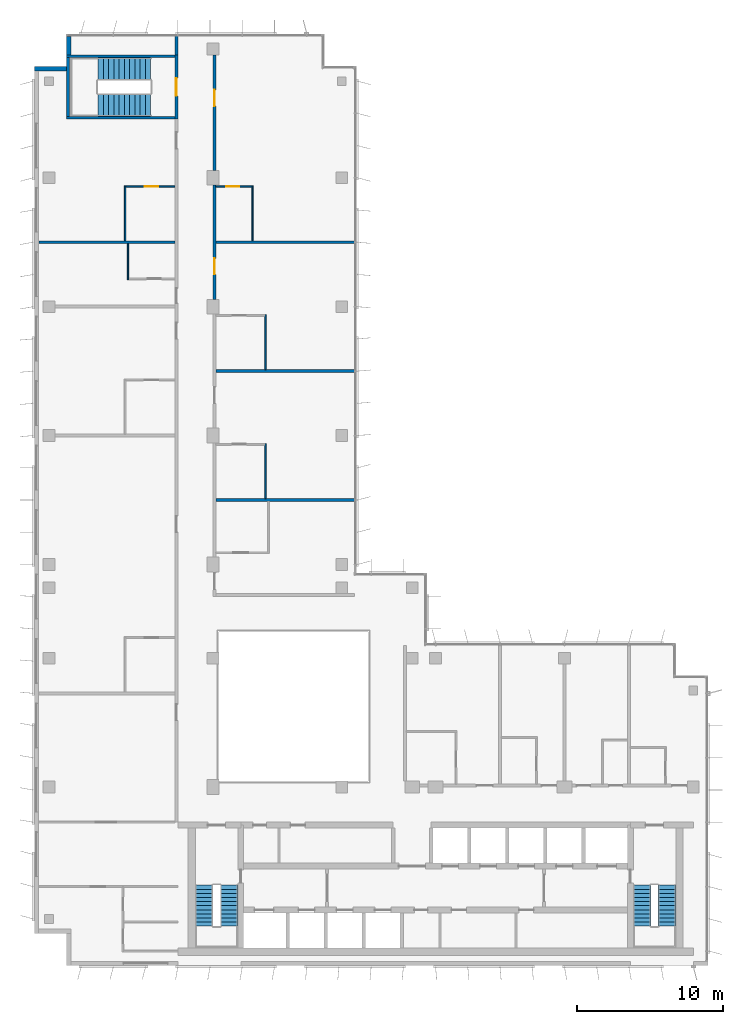
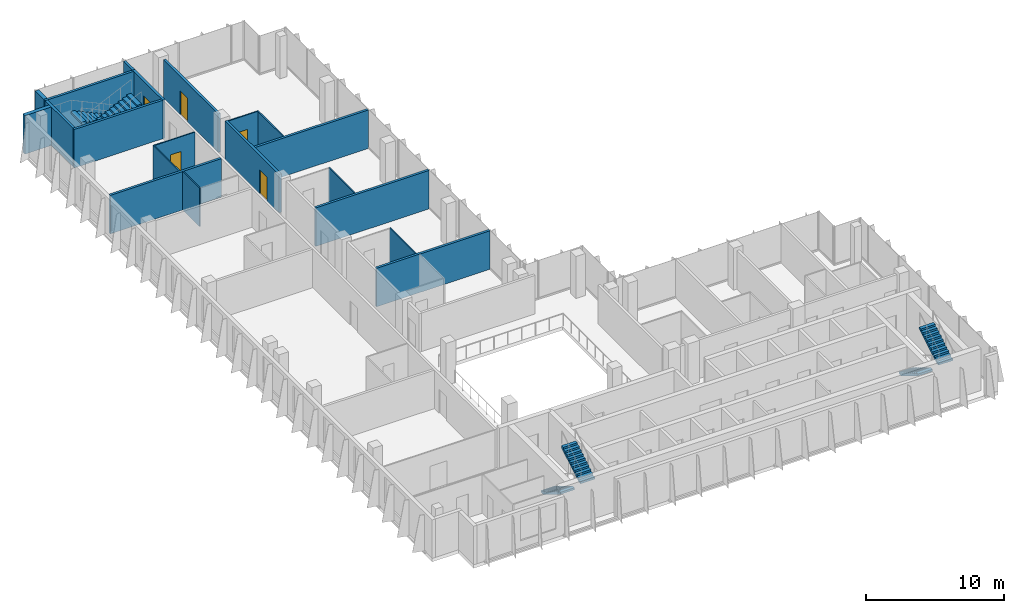
# One storey, part 12 of 15: 20 walls, 6 stair flights, 5 doors, 5 openings, 3 elements without a shape of their own.
"""IFC4 building model written with IfcOpenShell, lengths in metres."""

from ifc_helpers import new_model, si_unit, direction, frame, frame_2d, origin, place, context, subcontext, project, spatial, polyline, rectangle, outline, extrude, material, layer, layer_set, type_object, element, fill, aggregate, save


model = new_model("IFC4")

# Units and contexts
model_context = context("Model", 3, precision=1e-05, world=origin(), true_north=direction((0.0, 1.0)))
body_context = subcontext(model_context, "Body", "Model", "MODEL_VIEW")
ifc_project = project(units=[si_unit("LENGTHUNIT", "METRE"), si_unit("AREAUNIT", "SQUARE_METRE"), si_unit("VOLUMEUNIT", "CUBIC_METRE"), si_unit("PLANEANGLEUNIT", "RADIAN"), si_unit("MASSUNIT", "GRAM", prefix="KILO")], contexts=[model_context])

# Site, building, storey
site_placement = place(None, origin())
site = spatial("IfcSite", under=ifc_project, at=site_placement, CompositionType="ELEMENT")
building_placement = place(site_placement, origin())
building = spatial("IfcBuilding", under=site, at=building_placement, Name="Kemantara Hotel Tower", CompositionType="ELEMENT")
storey_placement = place(building_placement, frame((0.0, 0.0, 290.699951171875)))
storey = spatial("IfcBuildingStorey", under=building, at=storey_placement, Name="L73", CompositionType="ELEMENT", Elevation=290.699951171875)

# Walls
ifc_material_1 = material(Name="Bronze anodised aluminium cladding on insulated steel stud wall", Category="steel")
ifc_layer_1 = layer(ifc_material_1, 0.300048828125)
ifc_layer_set_1 = layer_set([ifc_layer_1], Name="Bronze anodised aluminium cladding on insulated steel stud wall")
wall_type_1 = type_object("IfcWallType", Name="BRONZE METAL-CLAD EXTERNAL WALL 300", PredefinedType="STANDARD", material=ifc_layer_set_1)
wall_1_placement = place(storey_placement, frame((2.35009765625, 63.449951171875, 0.0), z_axis=(0.0, 0.0, 1.0), x_axis=(0.0, -1.0, 0.0)))
element("IfcWall", 1, at=wall_1_placement, inside=storey, type_object=wall_type_1, Name="EXTERNAL WALL L73 T4-R03", PredefinedType="STANDARD", context=body_context, shape_type="SweptSolid", body=[
    extrude(rectangle(XDim=1.25, YDim=0.300048828125, at=frame_2d((0.625, 0.0))), origin(), (0.0, 0.0, 1.0), 3.400146484375),
])
wall_2_placement = place(storey_placement, frame((2.199951171875, 61.25, 0.0), z_axis=(0.0, 0.0, 1.0), x_axis=(-1.0, 0.0, 0.0)))
element("IfcWall", 2, at=wall_2_placement, inside=storey, type_object=wall_type_1, Name="EXTERNAL WALL L73 T4-R04", PredefinedType="STANDARD", context=body_context, shape_type="SweptSolid", body=[
    extrude(rectangle(XDim=2.199951171875, YDim=0.300048828125, at=frame_2d((1.10009765625, 0.0))), origin(), (0.0, 0.0, 1.0), 3.400146484375),
])
ifc_material_2 = material(Name="Gypsum board partition, steel studs and mineral wool, 200 mm", Category="steel")
ifc_layer_2 = layer(ifc_material_2, 0.199951171875)
ifc_layer_set_2 = layer_set([ifc_layer_2], Name="Gypsum board partition, steel studs and mineral wool, 200 mm")
wall_type_2 = type_object("IfcWallType", Name="CORRIDOR WALL 200", PredefinedType="PARTITIONING", material=ifc_layer_set_2)
wall_3_placement = place(storey_placement, frame((9.699951171875, 62.199951171875, 0.0), z_axis=(0.0, 0.0, 1.0), x_axis=(0.0, 1.0, 0.0)))
element("IfcWall", 3, at=wall_3_placement, inside=storey, type_object=wall_type_2, Name="CORRIDOR WALL 200 009", PredefinedType="PARTITIONING", context=body_context, shape_type="SweptSolid", body=[
    extrude(rectangle(XDim=1.280029296875, YDim=0.199951171875, at=frame_2d((0.64013671875, 0.0))), origin(), (0.0, 0.0, 1.0), 3.400146484375),
])

# Wall, opening, door
wall_4_placement = place(storey_placement, frame((12.300048828125, 53.2998046875, 0.0), z_axis=(0.0, 0.0, 1.0), x_axis=(0.0, -1.0, 0.0)))
wall_4 = element("IfcWall", 4, at=wall_4_placement, inside=storey, type_object=wall_type_2, Name="CORRIDOR WALL 200 018", PredefinedType="PARTITIONING", context=body_context, shape_type="SweptSolid", body=[
    extrude(rectangle(XDim=7.7998046875, YDim=0.199951171875, at=frame_2d((3.89990234375, 0.0))), origin(), (0.0, 0.0, 1.0), 3.400146484375),
])
opening_1_placement = place(wall_4_placement, frame((5.0, 0.0, 0.0)))
opening_1 = element("IfcOpeningElement", 5, at=opening_1_placement, cuts=wall_4, Name="Opening F36-026", PredefinedType="OPENING", context=body_context, shape_type="SweptSolid", body=[
    extrude(rectangle(XDim=1.10009765625, YDim=2.10009765625, at=frame_2d((0.550048828125, 1.050048828125))), frame((0.0, 0.10986328125, 0.0), z_axis=(0.0, -1.0, 0.0), x_axis=(1.0, 0.0, 0.0)), (0.0, 0.0, 1.0), 0.219970703125),
])
ifc_material_3 = material(Name="Hardwood veneer door leaf with steel frame", Category="steel")
door_type_1 = type_object("IfcDoorType", Name="SUITE ENTRANCE DOOR 1100 X 2100 FD30S", OperationType="NOTDEFINED", PredefinedType="DOOR", material=ifc_material_3)
door_1_placement = place(opening_1_placement, origin())
door_1 = element("IfcDoor", 6, at=door_1_placement, inside=storey, type_object=door_type_1, Name="SUITE ENTRANCE DOOR F36-026", OperationType="SINGLE_SWING_LEFT", OverallHeight=2.10009765625, OverallWidth=1.10009765625, PredefinedType="DOOR", context=body_context, shape_type="SweptSolid", body=[
    extrude(rectangle(XDim=1.10009765625, YDim=2.10009765625, at=frame_2d((0.550048828125, 1.050048828125))), frame((0.0, 0.02490234375, 0.0), z_axis=(0.0, -1.0, 0.0), x_axis=(1.0, 0.0, 0.0)), (0.0, 0.0, 1.0), 0.050048828125),
])
fill(opening_1, door_1)

wall_5_placement = place(storey_placement, frame((12.300048828125, 62.199951171875, 0.0), z_axis=(0.0, 0.0, 1.0), x_axis=(0.0, -1.0, 0.0)))
wall_5 = element("IfcWall", 7, at=wall_5_placement, inside=storey, type_object=wall_type_2, Name="CORRIDOR WALL 200 019", PredefinedType="PARTITIONING", context=body_context, shape_type="SweptSolid", body=[
    extrude(rectangle(XDim=7.89990234375, YDim=0.199951171875, at=frame_2d((3.949951171875, 0.0))), origin(), (0.0, 0.0, 1.0), 3.400146484375),
])
opening_2_placement = place(wall_5_placement, frame((2.39990234375, 0.0, 0.0)))
opening_2 = element("IfcOpeningElement", 8, at=opening_2_placement, cuts=wall_5, Name="Opening F36-028", PredefinedType="OPENING", context=body_context, shape_type="SweptSolid", body=[
    extrude(rectangle(XDim=1.10009765625, YDim=2.10009765625, at=frame_2d((0.550048828125, 1.050048828125))), frame((0.0, 0.10986328125, 0.0), z_axis=(0.0, -1.0, 0.0), x_axis=(1.0, 0.0, 0.0)), (0.0, 0.0, 1.0), 0.219970703125),
])
door_2_placement = place(opening_2_placement, origin())
door_2 = element("IfcDoor", 9, at=door_2_placement, inside=storey, type_object=door_type_1, Name="SUITE ENTRANCE DOOR F36-028", OperationType="SINGLE_SWING_LEFT", OverallHeight=2.10009765625, OverallWidth=1.10009765625, PredefinedType="DOOR", context=body_context, shape_type="SweptSolid", body=[
    extrude(rectangle(XDim=1.10009765625, YDim=2.10009765625, at=frame_2d((0.550048828125, 1.050048828125))), frame((0.0, 0.02490234375, 0.0), z_axis=(0.0, -1.0, 0.0), x_axis=(1.0, 0.0, 0.0)), (0.0, 0.0, 1.0), 0.050048828125),
])
fill(opening_2, door_2)

ifc_material_4 = material(Name="Concrete fc 40 MPa", Category="concrete")
ifc_layer_3 = layer(ifc_material_4, 0.199951171875)
ifc_layer_set_3 = layer_set([ifc_layer_3], Name="Concrete fc 40 MPa")
wall_type_3 = type_object("IfcWallType", Name="Concrete stair wall 200 mm", PredefinedType="SHEAR", material=ifc_layer_set_3)
wall_6_placement = place(storey_placement, frame((9.699951171875, 57.800048828125, 0.0), z_axis=(0.0, 0.0, 1.0), x_axis=(0.0, 1.0, 0.0)))
wall_6 = element("IfcWall", 10, at=wall_6_placement, inside=storey, type_object=wall_type_3, Name="Stair ST4 enclosure wall with door", PredefinedType="SHEAR", context=body_context, shape_type="SweptSolid", body=[
    extrude(rectangle(XDim=4.39990234375, YDim=0.199951171875, at=frame_2d((2.199951171875, 0.0))), origin(), (0.0, 0.0, 1.0), 3.400146484375),
])
opening_3_placement = place(wall_6_placement, frame((1.60009765625, 0.0, 0.0)))
opening_3 = element("IfcOpeningElement", 11, at=opening_3_placement, cuts=wall_6, Name="Opening ST4-C", PredefinedType="OPENING", context=body_context, shape_type="SweptSolid", body=[
    extrude(rectangle(XDim=1.199951171875, YDim=2.10009765625, at=frame_2d((0.60009765625, 1.050048828125))), frame((0.0, 0.10986328125, 0.0), z_axis=(0.0, -1.0, 0.0), x_axis=(1.0, 0.0, 0.0)), (0.0, 0.0, 1.0), 0.219970703125),
])
ifc_material_5 = material(Name="Steel fire door", Category="steel")
door_type_2 = type_object("IfcDoorType", Name="Fire door FD90 1200 x 2100", OperationType="NOTDEFINED", PredefinedType="DOOR", material=ifc_material_5)
door_3_placement = place(opening_3_placement, origin())
door_3 = element("IfcDoor", 12, at=door_3_placement, inside=storey, type_object=door_type_2, Name="Stair ST4 door", OperationType="SINGLE_SWING_RIGHT", OverallHeight=2.10009765625, OverallWidth=1.199951171875, PredefinedType="DOOR", context=body_context, shape_type="SweptSolid", body=[
    extrude(rectangle(XDim=1.199951171875, YDim=2.10009765625, at=frame_2d((0.60009765625, 1.050048828125))), frame((0.0, 0.02490234375, 0.0), z_axis=(0.0, -1.0, 0.0), x_axis=(1.0, 0.0, 0.0)), (0.0, 0.0, 1.0), 0.050048828125),
])
fill(opening_3, door_3)

# Walls
for number, where, z_axis, x_axis, name in (
    (13, (2.199951171875, 62.10009765625, 0.0), (0.0, 0.0, 1.0), (1.0, 0.0, 0.0), "Stair ST4 enclosure wall N"),
    (14, (2.199951171875, 57.89990234375, 0.0), (0.0, 0.0, 1.0), (1.0, 0.0, 0.0), "Stair ST4 enclosure wall S"),
):
    element("IfcWall", number, at=place(storey_placement, frame(where, z_axis=z_axis, x_axis=x_axis)), inside=storey, type_object=wall_type_3, Name=name, PredefinedType="SHEAR", context=body_context, shape_type="SweptSolid", body=[
        extrude(rectangle(XDim=7.400146484375, YDim=0.199951171875, at=frame_2d((3.7001953125, 0.0))), origin(), (0.0, 0.0, 1.0), 3.400146484375),
    ])
wall_7_placement = place(storey_placement, frame((2.300048828125, 58.0, 0.0), z_axis=(0.0, 0.0, 1.0), x_axis=(0.0, 1.0, 0.0)))
element("IfcWall", 15, at=wall_7_placement, inside=storey, type_object=wall_type_3, Name="Stair ST4 enclosure wall W", PredefinedType="SHEAR", context=body_context, shape_type="SweptSolid", body=[
    extrude(rectangle(XDim=4.0, YDim=0.199951171875, at=frame_2d((2.0, 0.0))), origin(), (0.0, 0.0, 1.0), 3.400146484375),
])
ifc_layer_4 = layer(ifc_material_2, 0.199951171875)
ifc_layer_set_4 = layer_set([ifc_layer_4], Name="Gypsum board partition, steel studs and mineral wool, 200 mm")
wall_type_4 = type_object("IfcWallType", Name="GUEST ROOM PARTY WALL 200", PredefinedType="PARTITIONING", material=ifc_layer_set_4)
wall_8_placement = place(storey_placement, frame((0.31005859375, 49.39990234375, 0.0), z_axis=(0.0, 0.0, 1.0), x_axis=(1.0, 0.0, 0.0)))
element("IfcWall", 16, at=wall_8_placement, inside=storey, type_object=wall_type_4, Name="GUEST ROOM PARTY WALL 200 013", PredefinedType="PARTITIONING", context=body_context, shape_type="SweptSolid", body=[
    extrude(rectangle(XDim=9.2900390625, YDim=0.199951171875, at=frame_2d((4.64501953125, 0.0))), origin(), (0.0, 0.0, 1.0), 3.400146484375),
])
for number, where, z_axis, x_axis, name in (
    (17, (12.39990234375, 49.39990234375, 0.0), (0.0, 0.0, 1.0), (1.0, 0.0, 0.0), "GUEST ROOM PARTY WALL 200 014"),
    (18, (12.39990234375, 31.800048828125, 0.0), (0.0, 0.0, 1.0), (1.0, 0.0, 0.0), "GUEST ROOM PARTY WALL 200 021"),
    (19, (12.39990234375, 40.60009765625, 0.0), (0.0, 0.0, 1.0), (1.0, 0.0, 0.0), "GUEST ROOM PARTY WALL 200 022"),
):
    element("IfcWall", number, at=place(storey_placement, frame(where, z_axis=z_axis, x_axis=x_axis)), inside=storey, type_object=wall_type_4, Name=name, PredefinedType="PARTITIONING", context=body_context, shape_type="SweptSolid", body=[
        extrude(rectangle(XDim=9.47021484375, YDim=0.199951171875, at=frame_2d((4.735107421875, 0.0))), origin(), (0.0, 0.0, 1.0), 3.400146484375),
    ])
ifc_material_6 = material(Name="Gypsum board partition on steel studs, 100 mm", Category="steel")
ifc_layer_5 = layer(ifc_material_6, 0.10009765625)
ifc_layer_set_5 = layer_set([ifc_layer_5], Name="Gypsum board partition on steel studs, 100 mm")
wall_type_5 = type_object("IfcWallType", Name="ROOM PARTITION 100", PredefinedType="PARTITIONING", material=ifc_layer_set_5)
wall_9_placement = place(storey_placement, frame((6.199951171875, 49.5, 0.0), z_axis=(0.0, 0.0, 1.0), x_axis=(0.0, 1.0, 0.0)))
element("IfcWall", 20, at=wall_9_placement, inside=storey, type_object=wall_type_5, Name="ROOM PARTITION 100 038", PredefinedType="PARTITIONING", context=body_context, shape_type="SweptSolid", body=[
    extrude(rectangle(XDim=3.75, YDim=0.10009765625, at=frame_2d((1.875, 0.0))), origin(), (0.0, 0.0, 1.0), 3.400146484375),
])
wall_10_placement = place(storey_placement, frame((6.39990234375, 46.85009765625, 0.0), z_axis=(0.0, 0.0, 1.0), x_axis=(0.0, 1.0, 0.0)))
element("IfcWall", 21, at=wall_10_placement, inside=storey, type_object=wall_type_5, Name="ROOM PARTITION 100 041", PredefinedType="PARTITIONING", context=body_context, shape_type="SweptSolid", body=[
    extrude(rectangle(XDim=2.449951171875, YDim=0.10009765625, at=frame_2d((1.22509765625, 0.0))), origin(), (0.0, 0.0, 1.0), 3.400146484375),
])

# Wall, opening, door
wall_11_placement = place(storey_placement, frame((9.60009765625, 53.199951171875, 0.0), z_axis=(0.0, 0.0, 1.0), x_axis=(-1.0, 0.0, 0.0)))
wall_11 = element("IfcWall", 22, at=wall_11_placement, inside=storey, type_object=wall_type_5, Name="ROOM PARTITION 100 043", PredefinedType="PARTITIONING", context=body_context, shape_type="SweptSolid", body=[
    extrude(rectangle(XDim=3.35009765625, YDim=0.10009765625, at=frame_2d((1.675048828125, 0.0))), origin(), (0.0, 0.0, 1.0), 3.400146484375),
])
opening_4_placement = place(wall_11_placement, frame((1.14990234375, 0.0, 0.0)))
opening_4 = element("IfcOpeningElement", 23, at=opening_4_placement, cuts=wall_11, Name="Opening F36-021", PredefinedType="OPENING", context=body_context, shape_type="SweptSolid", body=[
    extrude(rectangle(XDim=0.89990234375, YDim=2.10009765625, at=frame_2d((0.449951171875, 1.050048828125))), frame((0.0, 0.06005859375, 0.0), z_axis=(0.0, -1.0, 0.0), x_axis=(1.0, 0.0, 0.0)), (0.0, 0.0, 1.0), 0.1201171875),
])
door_type_3 = type_object("IfcDoorType", Name="BATHROOM DOOR 900 X 2100", OperationType="NOTDEFINED", PredefinedType="DOOR", material=ifc_material_3)
door_4_placement = place(opening_4_placement, origin())
door_4 = element("IfcDoor", 24, at=door_4_placement, inside=storey, type_object=door_type_3, Name="BATHROOM DOOR F36-021", OperationType="SINGLE_SWING_LEFT", OverallHeight=2.10009765625, OverallWidth=0.89990234375, PredefinedType="DOOR", context=body_context, shape_type="SweptSolid", body=[
    extrude(rectangle(XDim=0.89990234375, YDim=2.10009765625, at=frame_2d((0.449951171875, 1.050048828125))), frame((0.0, 0.02490234375, 0.0), z_axis=(0.0, -1.0, 0.0), x_axis=(1.0, 0.0, 0.0)), (0.0, 0.0, 1.0), 0.050048828125),
])
fill(opening_4, door_4)

wall_12_placement = place(storey_placement, frame((14.85009765625, 53.199951171875, 0.0), z_axis=(0.0, 0.0, 1.0), x_axis=(-1.0, 0.0, 0.0)))
wall_12 = element("IfcWall", 25, at=wall_12_placement, inside=storey, type_object=wall_type_5, Name="ROOM PARTITION 100 044", PredefinedType="PARTITIONING", context=body_context, shape_type="SweptSolid", body=[
    extrude(rectangle(XDim=2.4501953125, YDim=0.10009765625, at=frame_2d((1.22509765625, 0.0))), origin(), (0.0, 0.0, 1.0), 3.400146484375),
])
opening_5_placement = place(wall_12_placement, frame((0.85009765625, 0.0, 0.0)))
opening_5 = element("IfcOpeningElement", 26, at=opening_5_placement, cuts=wall_12, Name="Opening F36-029", PredefinedType="OPENING", context=body_context, shape_type="SweptSolid", body=[
    extrude(rectangle(XDim=0.89990234375, YDim=2.10009765625, at=frame_2d((0.449951171875, 1.050048828125))), frame((0.0, 0.06005859375, 0.0), z_axis=(0.0, -1.0, 0.0), x_axis=(1.0, 0.0, 0.0)), (0.0, 0.0, 1.0), 0.1201171875),
])
door_5_placement = place(opening_5_placement, origin())
door_5 = element("IfcDoor", 27, at=door_5_placement, inside=storey, type_object=door_type_3, Name="BATHROOM DOOR F36-029", OperationType="SINGLE_SWING_RIGHT", OverallHeight=2.10009765625, OverallWidth=0.89990234375, PredefinedType="DOOR", context=body_context, shape_type="SweptSolid", body=[
    extrude(rectangle(XDim=0.89990234375, YDim=2.10009765625, at=frame_2d((0.449951171875, 1.050048828125))), frame((0.0, 0.02490234375, 0.0), z_axis=(0.0, -1.0, 0.0), x_axis=(1.0, 0.0, 0.0)), (0.0, 0.0, 1.0), 0.050048828125),
])
fill(opening_5, door_5)

# Walls
for number, where, z_axis, x_axis, name in (
    (28, (15.800048828125, 31.89990234375, 0.0), (0.0, 0.0, 1.0), (0.0, 1.0, 0.0), "ROOM PARTITION 100 047"),
    (29, (15.800048828125, 40.699951171875, 0.0), (0.0, 0.0, 1.0), (0.0, 1.0, 0.0), "ROOM PARTITION 100 048"),
    (30, (14.89990234375, 49.5, 0.0), (0.0, 0.0, 1.0), (0.0, 1.0, 0.0), "ROOM PARTITION 100 051"),
):
    element("IfcWall", number, at=place(storey_placement, frame(where, z_axis=z_axis, x_axis=x_axis)), inside=storey, type_object=wall_type_5, Name=name, PredefinedType="PARTITIONING", context=body_context, shape_type="SweptSolid", body=[
        extrude(rectangle(XDim=3.75, YDim=0.10009765625, at=frame_2d((1.875, 0.0))), origin(), (0.0, 0.0, 1.0), 3.400146484375),
    ])

# Stair, stair flights
stair_type_1 = type_object("IfcStairType", Name="Stair 1200 wide 22 risers of 168 x 280 mm", PredefinedType="HALF_TURN_STAIR", material=ifc_material_4)
stair_1_placement = place(storey_placement, origin())
stair_1 = element("IfcStair", 31, at=stair_1_placement, inside=storey, type_object=stair_type_1, Name="L73 Exit stair ST1", PredefinedType="HALF_TURN_STAIR")
stair_flight_type_1 = type_object("IfcStairFlightType", Name="Stair flight 1200 wide 168 x 280 mm", PredefinedType="STRAIGHT", material=ifc_material_4)
stair_flight_1_placement = place(storey_placement, frame((11.60009765625, 5.5, 0.0), z_axis=(0.0, 0.0, 1.0), x_axis=(0.0, -1.0, 0.0)))
stair_flight_1 = element("IfcStairFlight", 32, at=stair_flight_1_placement, type_object=stair_flight_type_1, Name="ST1 flight 1", NumberOfRisers=11, NumberOfTreads=10, PredefinedType="STRAIGHT", RiserHeight=0.168181818, TreadLength=0.28, context=body_context, shape_type="SweptSolid", body=[
    extrude(outline(polyline([(0.0, 0.0), (0.0, 0.168212890625), (0.280029296875, 0.168212890625), (0.280029296875, 0.33642578125), (0.56005859375, 0.33642578125), (0.56005859375, 0.504638671875), (0.840087890625, 0.504638671875), (0.840087890625, 0.672607421875), (1.1201171875, 0.672607421875), (1.1201171875, 0.8408203125), (1.39990234375, 0.8408203125), (1.39990234375, 1.009033203125), (1.679931640625, 1.009033203125), (1.679931640625, 1.17724609375), (1.9599609375, 1.17724609375), (1.9599609375, 1.345458984375), (2.239990234375, 1.345458984375), (2.239990234375, 1.513671875), (2.52001953125, 1.513671875), (2.52001953125, 1.681884765625), (2.800048828125, 1.681884765625), (2.800048828125, 1.85009765625), (2.800048828125, 1.5068359375), (0.291015625, 0.0), (0.0, 0.0)])), frame((0.0, 0.60009765625, 0.0), z_axis=(0.0, -1.0, 0.0), x_axis=(1.0, 0.0, 0.0)), (0.0, 0.0, 1.0), 1.199951171875),
])
stair_flight_2_placement = place(storey_placement, frame((13.300048828125, 2.699951171875, 1.85009765625), z_axis=(0.0, 0.0, 1.0), x_axis=(0.0, 1.0, 0.0)))
stair_flight_2 = element("IfcStairFlight", 33, at=stair_flight_2_placement, type_object=stair_flight_type_1, Name="ST1 flight 2", NumberOfRisers=11, NumberOfTreads=10, PredefinedType="STRAIGHT", RiserHeight=0.168181818, TreadLength=0.28, context=body_context, shape_type="SweptSolid", body=[
    extrude(outline(polyline([(0.0, 0.0), (0.0, 0.168212890625), (0.280029296875, 0.168212890625), (0.280029296875, 0.33642578125), (0.56005859375, 0.33642578125), (0.56005859375, 0.504638671875), (0.840087890625, 0.504638671875), (0.840087890625, 0.672607421875), (1.1201171875, 0.672607421875), (1.1201171875, 0.8408203125), (1.39990234375, 0.8408203125), (1.39990234375, 1.009033203125), (1.679931640625, 1.009033203125), (1.679931640625, 1.17724609375), (1.9599609375, 1.17724609375), (1.9599609375, 1.345458984375), (2.239990234375, 1.345458984375), (2.239990234375, 1.513671875), (2.52001953125, 1.513671875), (2.52001953125, 1.681884765625), (2.800048828125, 1.681884765625), (2.800048828125, 1.85009765625), (2.800048828125, 1.5068359375), (0.291015625, 0.0), (0.0, 0.0)])), frame((0.0, 0.60009765625, 0.0), z_axis=(0.0, -1.0, 0.0), x_axis=(1.0, 0.0, 0.0)), (0.0, 0.0, 1.0), 1.199951171875),
])
aggregate(stair_1, [stair_flight_1, stair_flight_2])

stair_2_placement = place(storey_placement, origin())
stair_2 = element("IfcStair", 34, at=stair_2_placement, inside=storey, type_object=stair_type_1, Name="L73 Exit stair ST2", PredefinedType="HALF_TURN_STAIR")
stair_flight_3_placement = place(storey_placement, frame((41.5, 5.5, 0.0), z_axis=(0.0, 0.0, 1.0), x_axis=(0.0, -1.0, 0.0)))
stair_flight_3 = element("IfcStairFlight", 35, at=stair_flight_3_placement, type_object=stair_flight_type_1, Name="ST2 flight 1", NumberOfRisers=11, NumberOfTreads=10, PredefinedType="STRAIGHT", RiserHeight=0.168181818, TreadLength=0.28, context=body_context, shape_type="SweptSolid", body=[
    extrude(outline(polyline([(0.0, 0.0), (0.0, 0.168212890625), (0.280029296875, 0.168212890625), (0.280029296875, 0.33642578125), (0.56005859375, 0.33642578125), (0.56005859375, 0.504638671875), (0.840087890625, 0.504638671875), (0.840087890625, 0.672607421875), (1.1201171875, 0.672607421875), (1.1201171875, 0.8408203125), (1.39990234375, 0.8408203125), (1.39990234375, 1.009033203125), (1.679931640625, 1.009033203125), (1.679931640625, 1.17724609375), (1.9599609375, 1.17724609375), (1.9599609375, 1.345458984375), (2.239990234375, 1.345458984375), (2.239990234375, 1.513671875), (2.52001953125, 1.513671875), (2.52001953125, 1.681884765625), (2.800048828125, 1.681884765625), (2.800048828125, 1.85009765625), (2.800048828125, 1.5068359375), (0.291015625, 0.0), (0.0, 0.0)])), frame((0.0, 0.60009765625, 0.0), z_axis=(0.0, -1.0, 0.0), x_axis=(1.0, 0.0, 0.0)), (0.0, 0.0, 1.0), 1.199951171875),
])
stair_flight_4_placement = place(storey_placement, frame((43.199951171875, 2.699951171875, 1.85009765625), z_axis=(0.0, 0.0, 1.0), x_axis=(0.0, 1.0, 0.0)))
stair_flight_4 = element("IfcStairFlight", 36, at=stair_flight_4_placement, type_object=stair_flight_type_1, Name="ST2 flight 2", NumberOfRisers=11, NumberOfTreads=10, PredefinedType="STRAIGHT", RiserHeight=0.168181818, TreadLength=0.28, context=body_context, shape_type="SweptSolid", body=[
    extrude(outline(polyline([(0.0, 0.0), (0.0, 0.168212890625), (0.280029296875, 0.168212890625), (0.280029296875, 0.33642578125), (0.56005859375, 0.33642578125), (0.56005859375, 0.504638671875), (0.840087890625, 0.504638671875), (0.840087890625, 0.672607421875), (1.1201171875, 0.672607421875), (1.1201171875, 0.8408203125), (1.39990234375, 0.8408203125), (1.39990234375, 1.009033203125), (1.679931640625, 1.009033203125), (1.679931640625, 1.17724609375), (1.9599609375, 1.17724609375), (1.9599609375, 1.345458984375), (2.239990234375, 1.345458984375), (2.239990234375, 1.513671875), (2.52001953125, 1.513671875), (2.52001953125, 1.681884765625), (2.800048828125, 1.681884765625), (2.800048828125, 1.85009765625), (2.800048828125, 1.5068359375), (0.291015625, 0.0), (0.0, 0.0)])), frame((0.0, 0.60009765625, 0.0), z_axis=(0.0, -1.0, 0.0), x_axis=(1.0, 0.0, 0.0)), (0.0, 0.0, 1.0), 1.199951171875),
])
aggregate(stair_2, [stair_flight_3, stair_flight_4])

stair_type_2 = type_object("IfcStairType", Name="Stair 1550 wide 22 risers of 168 x 360 mm", PredefinedType="HALF_TURN_STAIR", material=ifc_material_4)
stair_3_placement = place(storey_placement, origin())
stair_3 = element("IfcStair", 37, at=stair_3_placement, inside=storey, type_object=stair_type_2, Name="L73 Exit stair ST4", PredefinedType="HALF_TURN_STAIR")
stair_flight_type_2 = type_object("IfcStairFlightType", Name="Stair flight 1550 wide 168 x 360 mm", PredefinedType="STRAIGHT", material=ifc_material_4)
stair_flight_5_placement = place(storey_placement, frame((7.949951171875, 61.22509765625, 0.0), z_axis=(0.0, 0.0, 1.0), x_axis=(-1.0, 0.0, 0.0)))
stair_flight_5 = element("IfcStairFlight", 38, at=stair_flight_5_placement, type_object=stair_flight_type_2, Name="ST4 flight 1", NumberOfRisers=11, NumberOfTreads=10, PredefinedType="STRAIGHT", RiserHeight=0.168181818, TreadLength=0.36, context=body_context, shape_type="SweptSolid", body=[
    extrude(outline(polyline([(0.0, 0.0), (0.0, 0.168212890625), (0.360107421875, 0.168212890625), (0.360107421875, 0.33642578125), (0.719970703125, 0.33642578125), (0.719970703125, 0.504638671875), (1.080078125, 0.504638671875), (1.080078125, 0.672607421875), (1.43994140625, 0.672607421875), (1.43994140625, 0.8408203125), (1.800048828125, 0.8408203125), (1.800048828125, 1.009033203125), (2.159912109375, 1.009033203125), (2.159912109375, 1.17724609375), (2.52001953125, 1.17724609375), (2.52001953125, 1.345458984375), (2.8798828125, 1.345458984375), (2.8798828125, 1.513671875), (3.239990234375, 1.513671875), (3.239990234375, 1.681884765625), (3.60009765625, 1.681884765625), (3.60009765625, 1.85009765625), (3.60009765625, 1.516357421875), (0.354248046875, 0.0), (0.0, 0.0)])), frame((0.0, 0.77490234375, 0.0), z_axis=(0.0, -1.0, 0.0), x_axis=(1.0, 0.0, 0.0)), (0.0, 0.0, 1.0), 1.550048828125),
])
stair_flight_6_placement = place(storey_placement, frame((4.35009765625, 58.77490234375, 1.85009765625), z_axis=(0.0, 0.0, 1.0), x_axis=(1.0, 0.0, 0.0)))
stair_flight_6 = element("IfcStairFlight", 39, at=stair_flight_6_placement, type_object=stair_flight_type_2, Name="ST4 flight 2", NumberOfRisers=11, NumberOfTreads=10, PredefinedType="STRAIGHT", RiserHeight=0.168181818, TreadLength=0.36, context=body_context, shape_type="SweptSolid", body=[
    extrude(outline(polyline([(0.0, 0.0), (0.0, 0.168212890625), (0.360107421875, 0.168212890625), (0.360107421875, 0.33642578125), (0.719970703125, 0.33642578125), (0.719970703125, 0.504638671875), (1.080078125, 0.504638671875), (1.080078125, 0.672607421875), (1.43994140625, 0.672607421875), (1.43994140625, 0.8408203125), (1.800048828125, 0.8408203125), (1.800048828125, 1.009033203125), (2.159912109375, 1.009033203125), (2.159912109375, 1.17724609375), (2.52001953125, 1.17724609375), (2.52001953125, 1.345458984375), (2.8798828125, 1.345458984375), (2.8798828125, 1.513671875), (3.239990234375, 1.513671875), (3.239990234375, 1.681884765625), (3.60009765625, 1.681884765625), (3.60009765625, 1.85009765625), (3.60009765625, 1.516357421875), (0.354248046875, 0.0), (0.0, 0.0)])), frame((0.0, 0.77490234375, 0.0), z_axis=(0.0, -1.0, 0.0), x_axis=(1.0, 0.0, 0.0)), (0.0, 0.0, 1.0), 1.550048828125),
])
aggregate(stair_3, [stair_flight_5, stair_flight_6])

save(model, "model.ifc")
